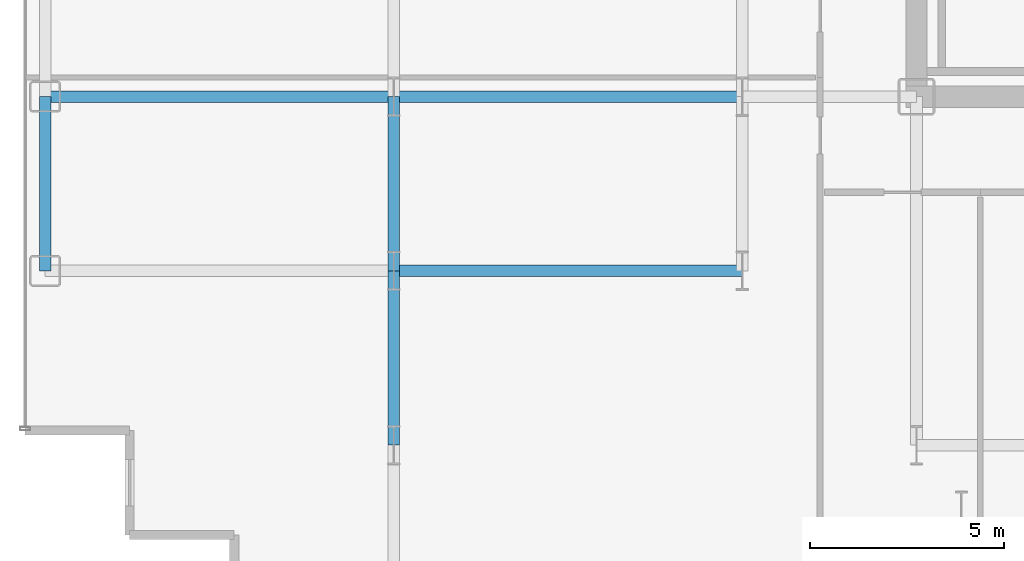
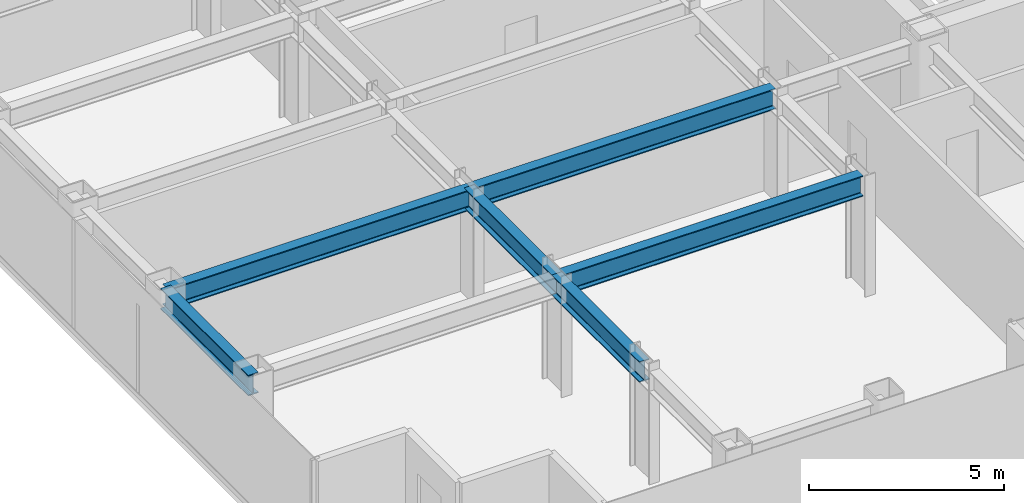
# One storey, part 3 of 26: 6 beams.
"""IFC4 building model written with IfcOpenShell, lengths in metres."""

from ifc_helpers import new_model, si_unit, direction, frame, origin, origin_2d, place, context, subcontext, project, spatial, i_section, extrude, source, transform, mapped, material, material_profile, profile_set, type_object, element, save


model = new_model("IFC4")

# Units and contexts
model_context = context("Model", 3, precision=1e-05, world=origin(), true_north=direction((0.0, 1.0)))
body_context = subcontext(model_context, "Body", "Model", "MODEL_VIEW")
ifc_project = project(units=[si_unit("LENGTHUNIT", "METRE"), si_unit("AREAUNIT", "SQUARE_METRE"), si_unit("VOLUMEUNIT", "CUBIC_METRE"), si_unit("PLANEANGLEUNIT", "RADIAN"), si_unit("MASSUNIT", "GRAM", prefix="KILO")], contexts=[model_context])

# Site, building, storey
site_placement = place(None, origin())
site = spatial("IfcSite", under=ifc_project, at=site_placement, CompositionType="ELEMENT")
building_placement = place(site_placement, origin())
building = spatial("IfcBuilding", under=site, at=building_placement, Name="Nefas-Gora Pilgrimage Tower", CompositionType="ELEMENT")
storey_placement = place(building_placement, frame((0.0, 0.0, 117.39990234375)))
storey = spatial("IfcBuildingStorey", under=building, at=storey_placement, Name="L28", CompositionType="ELEMENT", Elevation=117.39990234375)

# Beams
ifc_material = material(Name="Steel S355", Category="steel")
ifc_material_profile_1 = material_profile(ifc_material, i_section(OverallWidth=0.300048828125, OverallDepth=0.64990234375, WebThickness=0.01611328125, FlangeThickness=0.031005859375, FilletRadius=0.027099609375, at=origin_2d()), Name="HEB 650")
ifc_profile_set_1 = profile_set([ifc_material_profile_1], Name="Steel S355")
beam_type_1 = type_object("IfcBeamType", Name="BM-SPN-HEB500", PredefinedType="SPANDREL", material=ifc_profile_set_1)
shared_shape_1 = source(origin(), body_context, "Body", "SweptSolid", [
    extrude(i_section(OverallWidth=0.300048828125, OverallDepth=0.64990234375, WebThickness=0.01611328125, FlangeThickness=0.031005859375, FilletRadius=0.027099609375, at=origin_2d()), origin(), (0.0, 0.0, 1.0), 4.5),
])
beam_placement = place(storey_placement, frame((-33.75, -13.5, 3.22509765625), z_axis=(0.0, 1.0, 0.0), x_axis=(-1.0, 0.0, 0.0)))
element("IfcBeam", 1, at=beam_placement, inside=storey, type_object=beam_type_1, Name="L28 SP-02 beam", PredefinedType="SPANDREL", context=body_context, shape_type="MappedRepresentation", body=[
    mapped(shared_shape_1, transform((0.0, 0.0, 0.0), x_axis=(1.0, 0.0, 0.0), y_axis=(0.0, 1.0, 0.0), z_axis=(0.0, 0.0, 1.0), scale=1.0)),
])
ifc_material_profile_2 = material_profile(ifc_material, i_section(OverallWidth=0.300048828125, OverallDepth=0.64990234375, WebThickness=0.01611328125, FlangeThickness=0.031005859375, FilletRadius=0.027099609375, at=origin_2d()), Name="HEB 650")
ifc_profile_set_2 = profile_set([ifc_material_profile_2], Name="Steel S355")
beam_type_2 = type_object("IfcBeamType", Name="BM-GIR-HEB650", PredefinedType="BEAM", material=ifc_profile_set_2)
shared_shape_2 = source(origin(), body_context, "Body", "SweptSolid", [
    extrude(i_section(OverallWidth=0.300048828125, OverallDepth=0.64990234375, WebThickness=0.01611328125, FlangeThickness=0.031005859375, FilletRadius=0.027099609375, at=origin_2d()), origin(), (0.0, 0.0, 1.0), 9.0),
])
for number, where, z_axis, x_axis, name in (
    (2, (-33.75, -9.0, 3.22509765625), (1.0, 0.0, 0.0), (0.0, 1.0, 0.0), "L28 G-03 beam"),
    (3, (-24.75, -13.5, 3.22509765625), (1.0, 0.0, 0.0), (0.0, 1.0, 0.0), "L28 G-03 beam"),
    (4, (-24.75, -9.0, 3.22509765625), (1.0, 0.0, 0.0), (0.0, 1.0, 0.0), "L28 G-03 beam"),
):
    element("IfcBeam", number, at=place(storey_placement, frame(where, z_axis=z_axis, x_axis=x_axis)), inside=storey, type_object=beam_type_2, Name=name, PredefinedType="BEAM", context=body_context, shape_type="MappedRepresentation", body=[
        mapped(shared_shape_2, transform((0.0, 0.0, 0.0), x_axis=(1.0, 0.0, 0.0), y_axis=(0.0, 1.0, 0.0), z_axis=(0.0, 0.0, 1.0), scale=1.0)),
    ])
shared_shape_3 = source(origin(), body_context, "Body", "SweptSolid", [
    extrude(i_section(OverallWidth=0.300048828125, OverallDepth=0.64990234375, WebThickness=0.01611328125, FlangeThickness=0.031005859375, FilletRadius=0.027099609375, at=origin_2d()), origin(), (0.0, 0.0, 1.0), 4.5),
])
for number, where, z_axis, x_axis, name in (
    (5, (-24.75, -18.0, 3.22509765625), (0.0, 1.0, 0.0), (-1.0, 0.0, 0.0), "L28 G-03 beam"),
    (6, (-24.75, -13.5, 3.22509765625), (0.0, 1.0, 0.0), (-1.0, 0.0, 0.0), "L28 G-03 beam"),
):
    element("IfcBeam", number, at=place(storey_placement, frame(where, z_axis=z_axis, x_axis=x_axis)), inside=storey, type_object=beam_type_2, Name=name, PredefinedType="BEAM", context=body_context, shape_type="MappedRepresentation", body=[
        mapped(shared_shape_3, transform((0.0, 0.0, 0.0), x_axis=(1.0, 0.0, 0.0), y_axis=(0.0, 1.0, 0.0), z_axis=(0.0, 0.0, 1.0), scale=1.0)),
    ])

save(model, "model.ifc")
